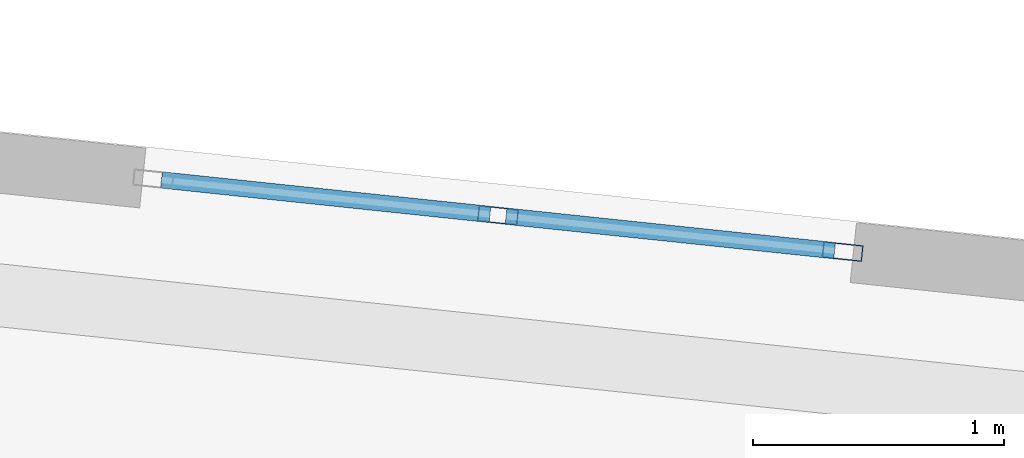
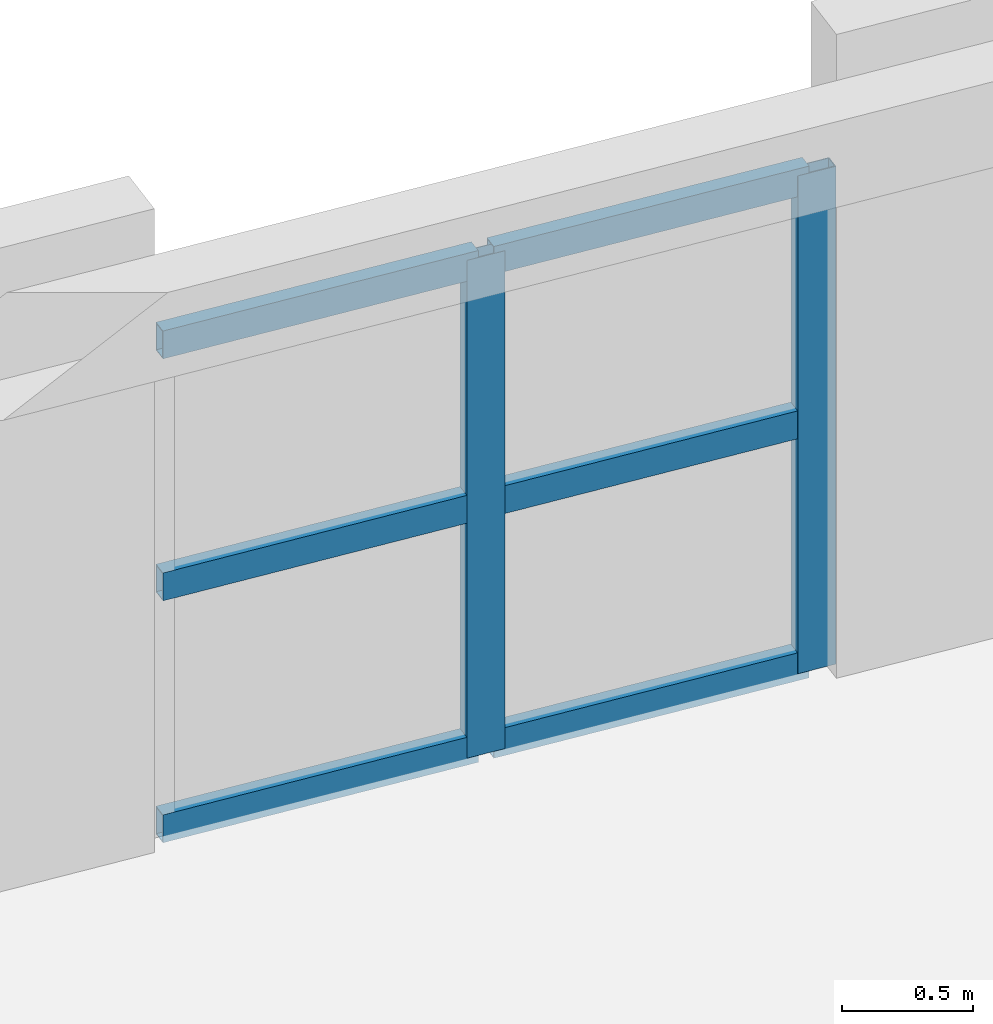
# One storey, part 14 of 65: 8 members, 1 element without a shape of its own.
"""IFC4 building model written with IfcOpenShell, lengths in metres."""

from ifc_helpers import new_model, si_unit, direction, frame, origin, origin_2d, place, context, subcontext, project, spatial, hollow_rectangle, extrude, material, material_profile, profile_set, type_object, element, aggregate, save


model = new_model("IFC4")

# Units and contexts
model_context = context("Model", 3, precision=1e-05, world=origin(), true_north=direction((0.0, 1.0)))
body_context = subcontext(model_context, "Body", "Model", "MODEL_VIEW")
ifc_project = project(units=[si_unit("LENGTHUNIT", "METRE"), si_unit("AREAUNIT", "SQUARE_METRE"), si_unit("VOLUMEUNIT", "CUBIC_METRE"), si_unit("PLANEANGLEUNIT", "RADIAN"), si_unit("MASSUNIT", "GRAM", prefix="KILO")], contexts=[model_context])

# Site, building, storey
site_placement = place(None, origin())
site = spatial("IfcSite", under=ifc_project, at=site_placement, CompositionType="ELEMENT")
building_placement = place(site_placement, origin())
building = spatial("IfcBuilding", under=site, at=building_placement, Name="Kestramere Prow Commons", CompositionType="ELEMENT")
storey_placement = place(building_placement, frame((0.0, 0.0, 21.39990234375)))
storey = spatial("IfcBuildingStorey", under=building, at=storey_placement, Name="L06", CompositionType="ELEMENT", Elevation=21.39990234375)

# Curtain wall, members
ifc_material_1 = material(Name="Anodised Aluminium and Low-E Glass", Category="aluminium")
curtain_wall_type = type_object("IfcCurtainWallType", Name="CW-03 Glazed Curtain Wall 2830x2320", PredefinedType="USERDEFINED", material=ifc_material_1)
curtain_wall_placement = place(storey_placement, origin())
curtain_wall = element("IfcCurtainWall", 1, at=curtain_wall_placement, inside=storey, type_object=curtain_wall_type, Name="Block B L06 Stairwell Vertical Glazing 5", ObjectType="GLAZED CURTAIN WALL", PredefinedType="USERDEFINED")
ifc_material_2 = material(Name="Anodised Aluminium 6063-T6", Category="aluminium")
ifc_material_profile_1 = material_profile(ifc_material_2, hollow_rectangle(XDim=0.06494140625, YDim=0.159912109375, WallThickness=0.00390625, at=origin_2d()), Name="ALU-MUL 65x160")
ifc_profile_set_1 = profile_set([ifc_material_profile_1], Name="Anodised Aluminium 6063-T6")
member_type_1 = type_object("IfcMemberType", Name="CW-MUL-65x160", PredefinedType="MULLION", material=ifc_profile_set_1)
member_1_placement = place(storey_placement, frame((147.906494140625, 111.0517578125, 0.0), z_axis=(0.0, 0.0, 1.0), x_axis=(0.104528269348, 0.99452191575, 0.0)))
member_1 = element("IfcMember", 2, at=member_1_placement, type_object=member_type_1, Name="CW-03 mullion 2", PredefinedType="MULLION", context=body_context, shape_type="SweptSolid", body=[
    extrude(hollow_rectangle(XDim=0.06494140625, YDim=0.159912109375, WallThickness=0.00390625, at=origin_2d()), origin(), (0.0, 0.0, 1.0), 2.320068359375),
])
member_2_placement = place(storey_placement, frame((149.28125, 110.9072265625, 0.0), z_axis=(0.0, 0.0, 1.0), x_axis=(0.104528269348, 0.99452191575, 0.0)))
member_2 = element("IfcMember", 3, at=member_2_placement, type_object=member_type_1, Name="CW-03 mullion 3", PredefinedType="MULLION", context=body_context, shape_type="SweptSolid", body=[
    extrude(hollow_rectangle(XDim=0.06494140625, YDim=0.159912109375, WallThickness=0.00390625, at=origin_2d()), origin(), (0.0, 0.0, 1.0), 2.320068359375),
])
ifc_material_profile_2 = material_profile(ifc_material_2, hollow_rectangle(XDim=0.06494140625, YDim=0.1298828125, WallThickness=0.00390625, at=origin_2d()), Name="ALU-TRN 65x130")
ifc_profile_set_2 = profile_set([ifc_material_profile_2], Name="Anodised Aluminium 6063-T6")
member_type_2 = type_object("IfcMemberType", Name="CW-TRN-65x130", PredefinedType="USERDEFINED", material=ifc_profile_set_2)
member_3_placement = place(storey_placement, frame((146.563720703125, 111.19287109375, 0.03271484375), z_axis=(0.994523714271, -0.104511156111, 0.0), x_axis=(0.104511156111, 0.994523714271, 0.0)))
member_3 = element("IfcMember", 4, at=member_3_placement, type_object=member_type_2, Name="CW-03 transom 1.1", ObjectType="TRANSOM", PredefinedType="USERDEFINED", context=body_context, shape_type="SweptSolid", body=[
    extrude(hollow_rectangle(XDim=0.06494140625, YDim=0.1298828125, WallThickness=0.00390625, at=origin_2d()), origin(), (0.0, 0.0, 1.0), 1.317626953125),
])
member_4_placement = place(storey_placement, frame((146.563720703125, 111.19287109375, 1.16015625), z_axis=(0.994523714271, -0.104511156111, 0.0), x_axis=(0.104511156111, 0.994523714271, 0.0)))
member_4 = element("IfcMember", 5, at=member_4_placement, type_object=member_type_2, Name="CW-03 transom 1.2", ObjectType="TRANSOM", PredefinedType="USERDEFINED", context=body_context, shape_type="SweptSolid", body=[
    extrude(hollow_rectangle(XDim=0.06494140625, YDim=0.1298828125, WallThickness=0.00390625, at=origin_2d()), origin(), (0.0, 0.0, 1.0), 1.317626953125),
])
member_5_placement = place(storey_placement, frame((146.563720703125, 111.19287109375, 2.28759765625), z_axis=(0.994523714271, -0.104511156111, 0.0), x_axis=(0.104511156111, 0.994523714271, 0.0)))
member_5 = element("IfcMember", 6, at=member_5_placement, type_object=member_type_2, Name="CW-03 transom 1.3", ObjectType="TRANSOM", PredefinedType="USERDEFINED", context=body_context, shape_type="SweptSolid", body=[
    extrude(hollow_rectangle(XDim=0.06494140625, YDim=0.1298828125, WallThickness=0.00390625, at=origin_2d()), origin(), (0.0, 0.0, 1.0), 1.317626953125),
])
member_6_placement = place(storey_placement, frame((147.938720703125, 111.04833984375, 0.03271484375), z_axis=(0.994523714271, -0.104511156111, 0.0), x_axis=(0.104511156111, 0.994523714271, 0.0)))
member_6 = element("IfcMember", 7, at=member_6_placement, type_object=member_type_2, Name="CW-03 transom 2.1", ObjectType="TRANSOM", PredefinedType="USERDEFINED", context=body_context, shape_type="SweptSolid", body=[
    extrude(hollow_rectangle(XDim=0.06494140625, YDim=0.1298828125, WallThickness=0.00390625, at=origin_2d()), origin(), (0.0, 0.0, 1.0), 1.317626953125),
])
member_7_placement = place(storey_placement, frame((147.938720703125, 111.04833984375, 1.16015625), z_axis=(0.994523714271, -0.104511156111, 0.0), x_axis=(0.104511156111, 0.994523714271, 0.0)))
member_7 = element("IfcMember", 8, at=member_7_placement, type_object=member_type_2, Name="CW-03 transom 2.2", ObjectType="TRANSOM", PredefinedType="USERDEFINED", context=body_context, shape_type="SweptSolid", body=[
    extrude(hollow_rectangle(XDim=0.06494140625, YDim=0.1298828125, WallThickness=0.00390625, at=origin_2d()), origin(), (0.0, 0.0, 1.0), 1.317626953125),
])
member_8_placement = place(storey_placement, frame((147.938720703125, 111.04833984375, 2.28759765625), z_axis=(0.994523714271, -0.104511156111, 0.0), x_axis=(0.104511156111, 0.994523714271, 0.0)))
member_8 = element("IfcMember", 9, at=member_8_placement, type_object=member_type_2, Name="CW-03 transom 2.3", ObjectType="TRANSOM", PredefinedType="USERDEFINED", context=body_context, shape_type="SweptSolid", body=[
    extrude(hollow_rectangle(XDim=0.06494140625, YDim=0.1298828125, WallThickness=0.00390625, at=origin_2d()), origin(), (0.0, 0.0, 1.0), 1.317626953125),
])
aggregate(curtain_wall, [member_1, member_2, member_3, member_4, member_5, member_6, member_7, member_8])

save(model, "model.ifc")
